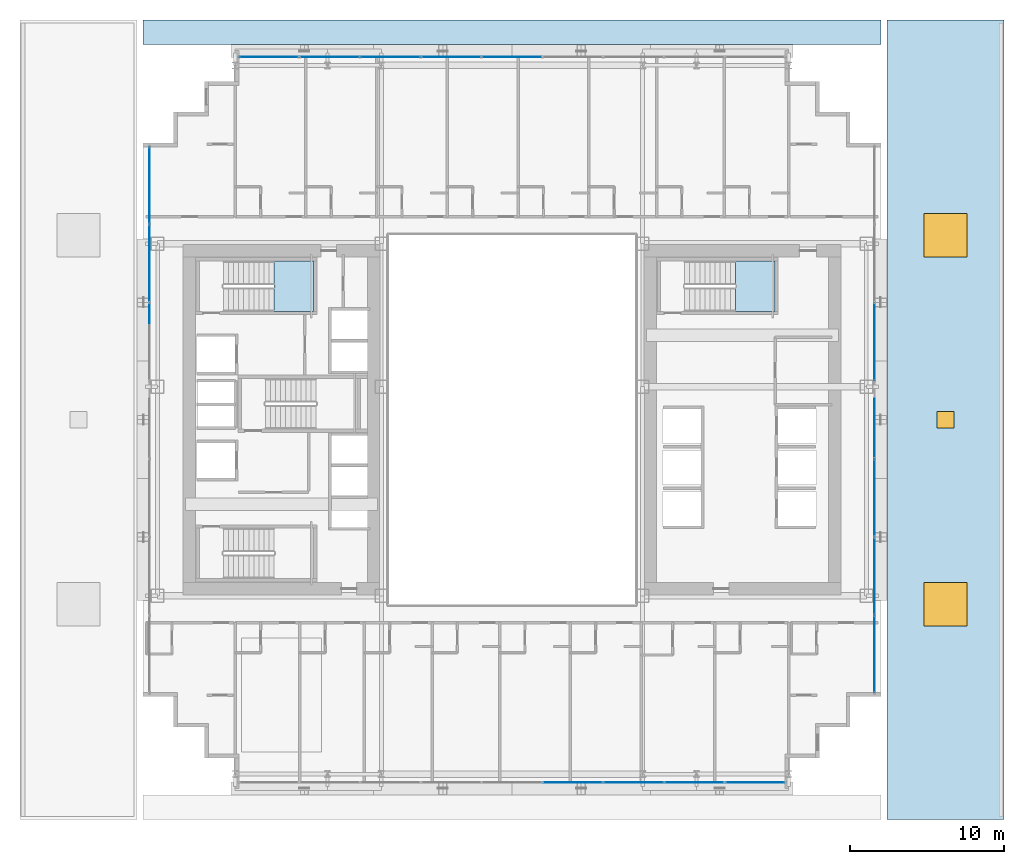
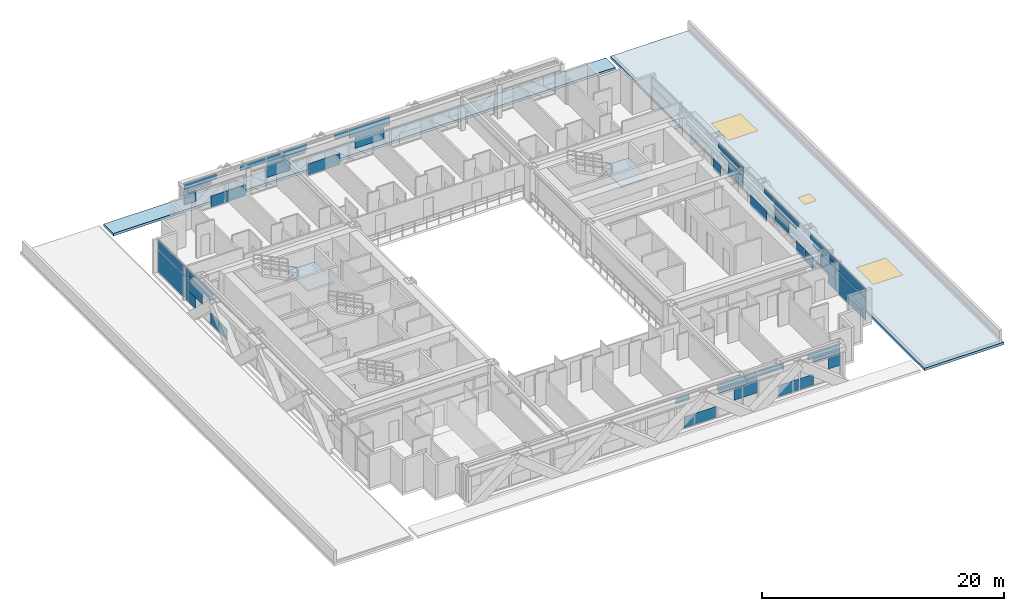
# One storey, part 22 of 35: 49 plates, 4 slabs, 2 windows, 1 door, 3 openings, 6 elements without a shape of their own.
"""IFC4 building model written with IfcOpenShell, lengths in metres."""

from ifc_helpers import new_model, si_unit, direction, frame, origin, origin_2d, place, context, subcontext, project, spatial, polyline, rectangle, outline, extrude, source, transform, mapped, material, layer, layer_set, type_object, element, fill, aggregate, save


model = new_model("IFC4")

# Units and contexts
model_context = context("Model", 3, precision=1e-05, world=origin(), true_north=direction((0.0, 1.0)))
body_context = subcontext(model_context, "Body", "Model", "MODEL_VIEW")
ifc_project = project(units=[si_unit("LENGTHUNIT", "METRE"), si_unit("AREAUNIT", "SQUARE_METRE"), si_unit("VOLUMEUNIT", "CUBIC_METRE"), si_unit("PLANEANGLEUNIT", "RADIAN"), si_unit("MASSUNIT", "GRAM", prefix="KILO")], contexts=[model_context])

# Site, building, storey
site_placement = place(None, origin())
site = spatial("IfcSite", under=ifc_project, at=site_placement, CompositionType="ELEMENT")
building_placement = place(site_placement, origin())
building = spatial("IfcBuilding", under=site, at=building_placement, Name="Ocotamira Hotel", CompositionType="ELEMENT")
storey_placement = place(building_placement, frame((0.0, 0.0, 34.800048828125)))
storey = spatial("IfcBuildingStorey", under=building, at=storey_placement, Name="L07", CompositionType="ELEMENT", Elevation=34.800048828125)

# Stair, slab
ifc_material_1 = material(Name="Concrete C40/50", Category="concrete")
stair_type = type_object("IfcStairType", Name="ST-CORE-1560", PredefinedType="HALF_TURN_STAIR", material=ifc_material_1)
stair_1_placement = place(storey_placement, origin())
stair_1 = element("IfcStair", 1, at=stair_1_placement, inside=storey, type_object=stair_type, Name="L07 Exit Stair ST-2", PredefinedType="HALF_TURN_STAIR")
ifc_layer_1 = layer(ifc_material_1, 0.199951171875)
ifc_layer_set_1 = layer_set([ifc_layer_1], Name="Concrete C40/50")
slab_type_1 = type_object("IfcSlabType", Name="SLB-LAND-200", PredefinedType="LANDING", material=ifc_layer_set_1)
slab_1_placement = place(storey_placement, frame((0.0, 0.0, 1.599853515625)))
slab_1 = element("IfcSlab", 2, at=slab_1_placement, type_object=slab_type_1, Name="ST-2 landing 1", PredefinedType="LANDING", context=body_context, shape_type="SweptSolid", body=[
    extrude(outline(polyline([(16.530029296875, 33.050048828125), (19.090087890625, 33.050048828125), (19.090087890625, 36.330078125), (16.530029296875, 36.330078125), (16.530029296875, 33.050048828125)])), origin(), (0.0, 0.0, 1.0), 0.2001953125),
])
aggregate(stair_1, [slab_1])

stair_2_placement = place(storey_placement, origin())
stair_2 = element("IfcStair", 3, at=stair_2_placement, inside=storey, type_object=stair_type, Name="L07 Exit Stair ST-4", PredefinedType="HALF_TURN_STAIR")
slab_2_placement = place(storey_placement, frame((0.0, 0.0, 1.599853515625)))
slab_2 = element("IfcSlab", 4, at=slab_2_placement, type_object=slab_type_1, Name="ST-4 landing 1", PredefinedType="LANDING", context=body_context, shape_type="SweptSolid", body=[
    extrude(outline(polyline([(46.530029296875, 33.050048828125), (49.090087890625, 33.050048828125), (49.090087890625, 36.330078125), (46.530029296875, 36.330078125), (46.530029296875, 33.050048828125)])), origin(), (0.0, 0.0, 1.0), 0.2001953125),
])
aggregate(stair_2, [slab_2])

# Slab, openings, door, windows
ifc_layer_2 = layer(ifc_material_1, 0.25)
ifc_layer_set_2 = layer_set([ifc_layer_2], Name="Concrete C40/50")
slab_type_2 = type_object("IfcSlabType", Name="SLB-ROOF-250", PredefinedType="ROOF", material=ifc_layer_set_2)
slab_3_placement = place(storey_placement, frame((0.0, 0.0, -0.25)))
slab_3 = element("IfcSlab", 5, at=slab_3_placement, inside=storey, type_object=slab_type_2, Name="L07 Podium Setback Roof POD-E", PredefinedType="ROOF", context=body_context, shape_type="SweptSolid", body=[
    extrude(outline(polyline([(56.39990234375, 0.0), (64.0, 0.0), (64.0, 52.0), (56.39990234375, 52.0), (56.39990234375, 0.0)])), origin(), (0.0, 0.0, 1.0), 0.25),
])
opening_1_placement = place(slab_3_placement, frame((60.199951171875, 14.0, 0.0)))
opening_1 = element("IfcOpeningElement", 6, at=opening_1_placement, cuts=slab_3, Name="Opening SK-2", PredefinedType="OPENING", context=body_context, shape_type="SweptSolid", body=[
    extrude(rectangle(XDim=2.800048828125, YDim=2.800048828125, at=origin_2d()), frame((0.0, 0.0, -0.010009765625)), (0.0, 0.0, 1.0), 0.27001953125),
])
opening_2_placement = place(slab_3_placement, frame((60.199951171875, 38.0, 0.0)))
opening_2 = element("IfcOpeningElement", 7, at=opening_2_placement, cuts=slab_3, Name="Opening SK-2", PredefinedType="OPENING", context=body_context, shape_type="SweptSolid", body=[
    extrude(rectangle(XDim=2.800048828125, YDim=2.800048828125, at=origin_2d()), frame((0.0, 0.0, -0.010009765625)), (0.0, 0.0, 1.0), 0.27001953125),
])
opening_3_placement = place(slab_3_placement, frame((60.199951171875, 26.0, 0.0)))
opening_3 = element("IfcOpeningElement", 8, at=opening_3_placement, cuts=slab_3, Name="Opening RH-1", PredefinedType="OPENING", context=body_context, shape_type="SweptSolid", body=[
    extrude(rectangle(XDim=1.10009765625, YDim=1.10009765625, at=origin_2d()), frame((0.0, 0.0, -0.010009765625)), (0.0, 0.0, 1.0), 0.27001953125),
])
ifc_material_2 = material(Name="Insulated aluminium roof access hatch", Category="aluminium")
door_type = type_object("IfcDoorType", Name="DR-HATCH-1100", OperationType="NOTDEFINED", PredefinedType="TRAPDOOR", material=ifc_material_2)
door_placement = place(opening_3_placement, frame((0.0, 0.0, 0.199951171875)))
door = element("IfcDoor", 9, at=door_placement, inside=storey, type_object=door_type, Name="L07 Maintenance Roof Hatch PODE [RH-L07-PODE]", OperationType="SINGLE_SWING_LEFT", OverallHeight=1.10009765625, OverallWidth=1.10009765625, PredefinedType="TRAPDOOR", context=body_context, shape_type="SweptSolid", body=[
    extrude(rectangle(XDim=1.10009765625, YDim=1.10009765625, at=origin_2d()), origin(), (0.0, 0.0, 1.0), 0.050048828125),
])
fill(opening_3, door)
ifc_material_3 = material(Name="Laminated structural skylight glass", Category="glass")
window_type = type_object("IfcWindowType", Name="WIN-SKY-2800", PartitioningType="SINGLE_PANEL", PredefinedType="SKYLIGHT", material=ifc_material_3)
window_1_placement = place(opening_1_placement, frame((0.0, 0.0, 0.199951171875)))
window_1 = element("IfcWindow", 10, at=window_1_placement, inside=storey, type_object=window_type, Name="Podium Roof Skylight 3", OverallHeight=2.800048828125, OverallWidth=2.800048828125, PartitioningType="SINGLE_PANEL", PredefinedType="SKYLIGHT", context=body_context, shape_type="SweptSolid", body=[
    extrude(rectangle(XDim=2.800048828125, YDim=2.800048828125, at=origin_2d()), origin(), (0.0, 0.0, 1.0), 0.050048828125),
])
fill(opening_1, window_1)
window_2_placement = place(opening_2_placement, frame((0.0, 0.0, 0.199951171875)))
window_2 = element("IfcWindow", 11, at=window_2_placement, inside=storey, type_object=window_type, Name="Podium Roof Skylight 4", OverallHeight=2.800048828125, OverallWidth=2.800048828125, PartitioningType="SINGLE_PANEL", PredefinedType="SKYLIGHT", context=body_context, shape_type="SweptSolid", body=[
    extrude(rectangle(XDim=2.800048828125, YDim=2.800048828125, at=origin_2d()), origin(), (0.0, 0.0, 1.0), 0.050048828125),
])
fill(opening_2, window_2)

# Slab
slab_4_placement = place(storey_placement, frame((0.0, 0.0, -0.25)))
element("IfcSlab", 12, at=slab_4_placement, inside=storey, type_object=slab_type_2, Name="L07 Podium Setback Roof POD-N", PredefinedType="ROOF", context=body_context, shape_type="SweptSolid", body=[
    extrude(outline(polyline([(8.0, 50.39990234375), (56.0, 50.39990234375), (56.0, 52.0), (8.0, 52.0), (8.0, 50.39990234375)])), origin(), (0.0, 0.0, 1.0), 0.25),
])

# Curtain wall, plate
ifc_material_4 = material(Name="Anodised pale-metal aluminium and solar glass", Category="aluminium")
ifc_layer_3 = layer(ifc_material_4, 0.179931640625)
ifc_layer_set_3 = layer_set([ifc_layer_3], Name="Anodised pale-metal aluminium and solar glass")
curtain_wall_type = type_object("IfcCurtainWallType", Name="CW-SYS2-Z1", PredefinedType="NOTDEFINED", material=ifc_layer_set_3)
curtain_wall_1_placement = place(storey_placement, origin())
curtain_wall_1 = element("IfcCurtainWall", 13, at=curtain_wall_1_placement, inside=storey, type_object=curtain_wall_type, Name="L07 Curtain Wall CW-2 CW-L07-S1", PredefinedType="NOTDEFINED")
ifc_material_5 = material(Name="Double-silver low-E insulated solar glass", Category="glass")
ifc_layer_4 = layer(ifc_material_5, 0.031982421875)
ifc_layer_set_4 = layer_set([ifc_layer_4], Name="Double-silver low-E insulated solar glass")
plate_type = type_object("IfcPlateType", Name="CWP-VISION-32", PredefinedType="CURTAIN_PANEL", material=ifc_layer_set_4)
shared_shape_1 = source(origin(), body_context, "Body", "SweptSolid", [
    extrude(rectangle(XDim=1.11669921875, YDim=0.031982421875, at=origin_2d()), origin(), (0.0, 0.0, 1.0), 1.11865234375),
])
plate_1_placement = place(storey_placement, frame((49.16162109375, 2.419921875, 1.193603515625), z_axis=(0.0, 0.0, 1.0), x_axis=(1.0, 0.0, 0.0)))
plate_1 = element("IfcPlate", 14, at=plate_1_placement, type_object=plate_type, Name="CW-2 panel 9.1.2", PredefinedType="CURTAIN_PANEL", context=body_context, shape_type="MappedRepresentation", body=[
    mapped(shared_shape_1, transform((0.0, 0.0, 0.0), scale=1.0)),
])

curtain_wall_2_placement = place(storey_placement, origin())
curtain_wall_2 = element("IfcCurtainWall", 15, at=curtain_wall_2_placement, inside=storey, type_object=curtain_wall_type, Name="L07 Curtain Wall CW-2 CW-L07-N", PredefinedType="NOTDEFINED")
plate_2_placement = place(storey_placement, frame((14.83837890625, 49.580078125, 1.193603515625), z_axis=(0.0, 0.0, 1.0), x_axis=(1.0, 0.0, 0.0)))
plate_2 = element("IfcPlate", 16, at=plate_2_placement, type_object=plate_type, Name="CW-2 panel 1.1.1", PredefinedType="CURTAIN_PANEL", context=body_context, shape_type="MappedRepresentation", body=[
    mapped(shared_shape_1, transform((0.0, 0.0, 0.0), scale=1.0)),
])

# Plate
shared_shape_2 = source(origin(), body_context, "Body", "SweptSolid", [
    extrude(rectangle(XDim=1.278076171875, YDim=0.031982421875, at=origin_2d()), origin(), (0.0, 0.0, 1.0), 1.11865234375),
])
plate_3_placement = place(storey_placement, frame((46.5234375, 2.419921875, 0.074951171875), z_axis=(0.0, 0.0, 1.0), x_axis=(1.0, 0.0, 0.0)))
plate_3 = element("IfcPlate", 17, at=plate_3_placement, type_object=plate_type, Name="CW-2 panel 9.1.1", PredefinedType="CURTAIN_PANEL", context=body_context, shape_type="MappedRepresentation", body=[
    mapped(shared_shape_2, transform((0.0, 0.0, 0.0), scale=1.0)),
])

plate_4_placement = place(storey_placement, frame((17.4765625, 49.580078125, 0.074951171875), z_axis=(0.0, 0.0, 1.0), x_axis=(1.0, 0.0, 0.0)))
plate_4 = element("IfcPlate", 18, at=plate_4_placement, type_object=plate_type, Name="CW-2 panel 1.1.2", PredefinedType="CURTAIN_PANEL", context=body_context, shape_type="MappedRepresentation", body=[
    mapped(shared_shape_2, transform((0.0, 0.0, 0.0), scale=1.0)),
])

shared_shape_3 = source(origin(), body_context, "Body", "SweptSolid", [
    extrude(rectangle(XDim=2.60888671875, YDim=0.031982421875, at=origin_2d()), origin(), (0.0, 0.0, 1.0), 0.345458984375),
])
plate_5_placement = place(storey_placement, frame((48.41552734375, 2.419921875, 2.38720703125), z_axis=(0.0, 0.0, 1.0), x_axis=(1.0, 0.0, 0.0)))
plate_5 = element("IfcPlate", 19, at=plate_5_placement, type_object=plate_type, Name="CW-2 panel 9.2.2", PredefinedType="CURTAIN_PANEL", context=body_context, shape_type="MappedRepresentation", body=[
    mapped(shared_shape_3, transform((0.0, 0.0, 0.0), scale=1.0)),
])

plate_6_placement = place(storey_placement, frame((15.58447265625, 49.580078125, 2.38720703125), z_axis=(0.0, 0.0, 1.0), x_axis=(1.0, 0.0, 0.0)))
plate_6 = element("IfcPlate", 20, at=plate_6_placement, type_object=plate_type, Name="CW-2 panel 1.2.1", PredefinedType="CURTAIN_PANEL", context=body_context, shape_type="MappedRepresentation", body=[
    mapped(shared_shape_3, transform((0.0, 0.0, 0.0), scale=1.0)),
])

shared_shape_4 = source(origin(), body_context, "Body", "SweptSolid", [
    extrude(rectangle(XDim=3.079833984375, YDim=0.031982421875, at=origin_2d()), origin(), (0.0, 0.0, 1.0), 0.5107421875),
])
plate_7_placement = place(storey_placement, frame((48.179931640625, 2.419921875, 2.76416015625), z_axis=(0.0, 0.0, 1.0), x_axis=(1.0, 0.0, 0.0)))
plate_7 = element("IfcPlate", 21, at=plate_7_placement, type_object=plate_type, Name="CW-2 panel 9.2.1", PredefinedType="CURTAIN_PANEL", context=body_context, shape_type="MappedRepresentation", body=[
    mapped(shared_shape_4, transform((0.0, 0.0, 0.0), scale=1.0)),
])

plate_8_placement = place(storey_placement, frame((15.820068359375, 49.580078125, 2.76416015625), z_axis=(0.0, 0.0, 1.0), x_axis=(1.0, 0.0, 0.0)))
plate_8 = element("IfcPlate", 22, at=plate_8_placement, type_object=plate_type, Name="CW-2 panel 1.2.2", PredefinedType="CURTAIN_PANEL", context=body_context, shape_type="MappedRepresentation", body=[
    mapped(shared_shape_4, transform((0.0, 0.0, 0.0), scale=1.0)),
])

shared_shape_5 = source(origin(), body_context, "Body", "SweptSolid", [
    extrude(rectangle(XDim=1.966796875, YDim=0.031982421875, at=origin_2d()), origin(), (0.0, 0.0, 1.0), 1.11865234375),
])
plate_9_placement = place(storey_placement, frame((44.821044921875, 2.419921875, 0.074951171875), z_axis=(0.0, 0.0, 1.0), x_axis=(1.0, 0.0, 0.0)))
plate_9 = element("IfcPlate", 23, at=plate_9_placement, type_object=plate_type, Name="CW-2 panel 8.1.1", PredefinedType="CURTAIN_PANEL", context=body_context, shape_type="MappedRepresentation", body=[
    mapped(shared_shape_5, transform((0.0, 0.0, 0.0), scale=1.0)),
])

plate_10_placement = place(storey_placement, frame((19.178955078125, 49.580078125, 0.074951171875), z_axis=(0.0, 0.0, 1.0), x_axis=(1.0, 0.0, 0.0)))
plate_10 = element("IfcPlate", 24, at=plate_10_placement, type_object=plate_type, Name="CW-2 panel 2.1.1", PredefinedType="CURTAIN_PANEL", context=body_context, shape_type="MappedRepresentation", body=[
    mapped(shared_shape_5, transform((0.0, 0.0, 0.0), scale=1.0)),
])

shared_shape_6 = source(origin(), body_context, "Body", "SweptSolid", [
    extrude(rectangle(XDim=2.430908203125, YDim=0.031982421875, at=origin_2d()), origin(), (0.0, 0.0, 1.0), 0.5107421875),
])
plate_11_placement = place(storey_placement, frame((43.144287109375, 2.419921875, 2.76416015625), z_axis=(0.0, 0.0, 1.0), x_axis=(1.0, 0.0, 0.0)))
plate_11 = element("IfcPlate", 25, at=plate_11_placement, type_object=plate_type, Name="CW-2 panel 8.2.1", PredefinedType="CURTAIN_PANEL", context=body_context, shape_type="MappedRepresentation", body=[
    mapped(shared_shape_6, transform((0.0, 0.0, 0.0), scale=1.0)),
])

plate_12_placement = place(storey_placement, frame((20.855712890625, 49.580078125, 2.76416015625), z_axis=(0.0, 0.0, 1.0), x_axis=(1.0, 0.0, 0.0)))
plate_12 = element("IfcPlate", 26, at=plate_12_placement, type_object=plate_type, Name="CW-2 panel 2.2.1", PredefinedType="CURTAIN_PANEL", context=body_context, shape_type="MappedRepresentation", body=[
    mapped(shared_shape_6, transform((0.0, 0.0, 0.0), scale=1.0)),
])

shared_shape_7 = source(origin(), body_context, "Body", "SweptSolid", [
    extrude(rectangle(XDim=2.24560546875, YDim=0.031982421875, at=origin_2d()), origin(), (0.0, 0.0, 1.0), 1.11865234375),
])
plate_13_placement = place(storey_placement, frame((40.72607421875, 2.419921875, 1.193603515625), z_axis=(0.0, 0.0, 1.0), x_axis=(1.0, 0.0, 0.0)))
plate_13 = element("IfcPlate", 27, at=plate_13_placement, type_object=plate_type, Name="CW-2 panel 7.1.1", PredefinedType="CURTAIN_PANEL", context=body_context, shape_type="MappedRepresentation", body=[
    mapped(shared_shape_7, transform((0.0, 0.0, 0.0), scale=1.0)),
])

plate_14_placement = place(storey_placement, frame((23.27392578125, 49.580078125, 1.193603515625), z_axis=(0.0, 0.0, 1.0), x_axis=(1.0, 0.0, 0.0)))
plate_14 = element("IfcPlate", 28, at=plate_14_placement, type_object=plate_type, Name="CW-2 panel 3.1.1", PredefinedType="CURTAIN_PANEL", context=body_context, shape_type="MappedRepresentation", body=[
    mapped(shared_shape_7, transform((0.0, 0.0, 0.0), scale=1.0)),
])

shared_shape_8 = source(origin(), body_context, "Body", "SweptSolid", [
    extrude(rectangle(XDim=3.73779296875, YDim=0.031982421875, at=origin_2d()), origin(), (0.0, 0.0, 1.0), 0.376708984375),
])
plate_15_placement = place(storey_placement, frame((39.97998046875, 2.419921875, 2.3876953125), z_axis=(0.0, 0.0, 1.0), x_axis=(1.0, 0.0, 0.0)))
plate_15 = element("IfcPlate", 29, at=plate_15_placement, type_object=plate_type, Name="CW-2 panel 7.2.2", PredefinedType="CURTAIN_PANEL", context=body_context, shape_type="MappedRepresentation", body=[
    mapped(shared_shape_8, transform((0.0, 0.0, 0.0), scale=1.0)),
])

plate_16_placement = place(storey_placement, frame((24.02001953125, 49.580078125, 2.3876953125), z_axis=(0.0, 0.0, 1.0), x_axis=(1.0, 0.0, 0.0)))
plate_16 = element("IfcPlate", 30, at=plate_16_placement, type_object=plate_type, Name="CW-2 panel 3.2.1", PredefinedType="CURTAIN_PANEL", context=body_context, shape_type="MappedRepresentation", body=[
    mapped(shared_shape_8, transform((0.0, 0.0, 0.0), scale=1.0)),
])

shared_shape_9 = source(origin(), body_context, "Body", "SweptSolid", [
    extrude(rectangle(XDim=3.87548828125, YDim=0.031982421875, at=origin_2d()), origin(), (0.0, 0.0, 1.0), 0.5107421875),
])
plate_17_placement = place(storey_placement, frame((39.9111328125, 2.419921875, 2.76416015625), z_axis=(0.0, 0.0, 1.0), x_axis=(1.0, 0.0, 0.0)))
plate_17 = element("IfcPlate", 31, at=plate_17_placement, type_object=plate_type, Name="CW-2 panel 7.2.1", PredefinedType="CURTAIN_PANEL", context=body_context, shape_type="MappedRepresentation", body=[
    mapped(shared_shape_9, transform((0.0, 0.0, 0.0), scale=1.0)),
])

plate_18_placement = place(storey_placement, frame((24.0888671875, 49.580078125, 2.76416015625), z_axis=(0.0, 0.0, 1.0), x_axis=(1.0, 0.0, 0.0)))
plate_18 = element("IfcPlate", 32, at=plate_18_placement, type_object=plate_type, Name="CW-2 panel 3.2.2", PredefinedType="CURTAIN_PANEL", context=body_context, shape_type="MappedRepresentation", body=[
    mapped(shared_shape_9, transform((0.0, 0.0, 0.0), scale=1.0)),
])

shared_shape_10 = source(origin(), body_context, "Body", "SweptSolid", [
    extrude(rectangle(XDim=3.055908203125, YDim=0.031982421875, at=origin_2d()), origin(), (0.0, 0.0, 1.0), 1.11865234375),
])
plate_19_placement = place(storey_placement, frame((36.365478515625, 2.419921875, 0.074951171875), z_axis=(0.0, 0.0, 1.0), x_axis=(1.0, 0.0, 0.0)))
plate_19 = element("IfcPlate", 33, at=plate_19_placement, type_object=plate_type, Name="CW-2 panel 6.1.1", PredefinedType="CURTAIN_PANEL", context=body_context, shape_type="MappedRepresentation", body=[
    mapped(shared_shape_10, transform((0.0, 0.0, 0.0), scale=1.0)),
])

plate_20_placement = place(storey_placement, frame((27.634521484375, 49.580078125, 0.074951171875), z_axis=(0.0, 0.0, 1.0), x_axis=(1.0, 0.0, 0.0)))
plate_20 = element("IfcPlate", 34, at=plate_20_placement, type_object=plate_type, Name="CW-2 panel 4.1.1", PredefinedType="CURTAIN_PANEL", context=body_context, shape_type="MappedRepresentation", body=[
    mapped(shared_shape_10, transform((0.0, 0.0, 0.0), scale=1.0)),
])

shared_shape_11 = source(origin(), body_context, "Body", "SweptSolid", [
    extrude(rectangle(XDim=1.34228515625, YDim=0.031982421875, at=origin_2d()), origin(), (0.0, 0.0, 1.0), 0.5107421875),
])
plate_21_placement = place(storey_placement, frame((34.68896484375, 2.419921875, 2.76416015625), z_axis=(0.0, 0.0, 1.0), x_axis=(1.0, 0.0, 0.0)))
plate_21 = element("IfcPlate", 35, at=plate_21_placement, type_object=plate_type, Name="CW-2 panel 6.2.1", PredefinedType="CURTAIN_PANEL", context=body_context, shape_type="MappedRepresentation", body=[
    mapped(shared_shape_11, transform((0.0, 0.0, 0.0), scale=1.0)),
])

aggregate(curtain_wall_1, [plate_19, plate_21, plate_13, plate_17, plate_15, plate_9, plate_11, plate_3, plate_1, plate_7, plate_5])

plate_22_placement = place(storey_placement, frame((29.31103515625, 49.580078125, 2.76416015625), z_axis=(0.0, 0.0, 1.0), x_axis=(1.0, 0.0, 0.0)))
plate_22 = element("IfcPlate", 36, at=plate_22_placement, type_object=plate_type, Name="CW-2 panel 4.2.1", PredefinedType="CURTAIN_PANEL", context=body_context, shape_type="MappedRepresentation", body=[
    mapped(shared_shape_11, transform((0.0, 0.0, 0.0), scale=1.0)),
])

shared_shape_12 = source(origin(), body_context, "Body", "SweptSolid", [
    extrude(rectangle(XDim=2.793701171875, YDim=0.031982421875, at=origin_2d()), origin(), (0.0, 0.0, 1.0), 1.11865234375),
])
plate_23_placement = place(storey_placement, frame((32.0, 49.580078125, 1.193603515625), z_axis=(0.0, 0.0, 1.0), x_axis=(1.0, 0.0, 0.0)))
plate_23 = element("IfcPlate", 37, at=plate_23_placement, type_object=plate_type, Name="CW-2 panel 5.1.1", PredefinedType="CURTAIN_PANEL", context=body_context, shape_type="MappedRepresentation", body=[
    mapped(shared_shape_12, transform((0.0, 0.0, 0.0), scale=1.0)),
])

shared_shape_13 = source(origin(), body_context, "Body", "SweptSolid", [
    extrude(rectangle(XDim=3.87548828125, YDim=0.031982421875, at=origin_2d()), origin(), (0.0, 0.0, 1.0), 0.887451171875),
])
plate_24_placement = place(storey_placement, frame((32.0, 49.580078125, 2.3876953125), z_axis=(0.0, 0.0, 1.0), x_axis=(1.0, 0.0, 0.0)))
plate_24 = element("IfcPlate", 38, at=plate_24_placement, type_object=plate_type, Name="CW-2 panel 5.2", PredefinedType="CURTAIN_PANEL", context=body_context, shape_type="MappedRepresentation", body=[
    mapped(shared_shape_13, transform((0.0, 0.0, 0.0), scale=1.0)),
])

aggregate(curtain_wall_2, [plate_2, plate_4, plate_6, plate_8, plate_10, plate_12, plate_14, plate_16, plate_18, plate_20, plate_22, plate_23, plate_24])

# Curtain wall, plate
curtain_wall_3_placement = place(storey_placement, origin())
curtain_wall_3 = element("IfcCurtainWall", 39, at=curtain_wall_3_placement, inside=storey, type_object=curtain_wall_type, Name="L07 Curtain Wall CW-2 CW-L07-W", PredefinedType="NOTDEFINED")
shared_shape_14 = source(origin(), body_context, "Body", "SweptSolid", [
    extrude(rectangle(XDim=4.9658203125, YDim=0.031982421875, at=origin_2d()), origin(), (0.0, 0.0, 1.0), 2.237548828125),
])
plate_25_placement = place(storey_placement, frame((8.419921875, 41.237060546875, 0.07470703125), z_axis=(0.0, 0.0, 1.0), x_axis=(0.0, 1.0, 0.0)))
plate_25 = element("IfcPlate", 40, at=plate_25_placement, type_object=plate_type, Name="CW-2 panel 7.1", PredefinedType="CURTAIN_PANEL", context=body_context, shape_type="MappedRepresentation", body=[
    mapped(shared_shape_14, transform((0.0, 0.0, 0.0), scale=1.0)),
])

curtain_wall_4_placement = place(storey_placement, origin())
curtain_wall_4 = element("IfcCurtainWall", 41, at=curtain_wall_4_placement, inside=storey, type_object=curtain_wall_type, Name="L07 Curtain Wall CW-2 CW-L07-E", PredefinedType="NOTDEFINED")
plate_26_placement = place(storey_placement, frame((55.580078125, 10.762939453125, 0.07470703125), z_axis=(0.0, 0.0, 1.0), x_axis=(0.0, 1.0, 0.0)))
plate_26 = element("IfcPlate", 42, at=plate_26_placement, type_object=plate_type, Name="CW-2 panel 1.1", PredefinedType="CURTAIN_PANEL", context=body_context, shape_type="MappedRepresentation", body=[
    mapped(shared_shape_14, transform((0.0, 0.0, 0.0), scale=1.0)),
])

# Plate
shared_shape_15 = source(origin(), body_context, "Body", "SweptSolid", [
    extrude(rectangle(XDim=4.9658203125, YDim=0.031982421875, at=origin_2d()), origin(), (0.0, 0.0, 1.0), 0.887451171875),
])
plate_27_placement = place(storey_placement, frame((8.419921875, 41.237060546875, 2.3876953125), z_axis=(0.0, 0.0, 1.0), x_axis=(0.0, 1.0, 0.0)))
plate_27 = element("IfcPlate", 43, at=plate_27_placement, type_object=plate_type, Name="CW-2 panel 7.2", PredefinedType="CURTAIN_PANEL", context=body_context, shape_type="MappedRepresentation", body=[
    mapped(shared_shape_15, transform((0.0, 0.0, 0.0), scale=1.0)),
])

plate_28_placement = place(storey_placement, frame((55.580078125, 10.762939453125, 2.3876953125), z_axis=(0.0, 0.0, 1.0), x_axis=(0.0, 1.0, 0.0)))
plate_28 = element("IfcPlate", 44, at=plate_28_placement, type_object=plate_type, Name="CW-2 panel 1.2", PredefinedType="CURTAIN_PANEL", context=body_context, shape_type="MappedRepresentation", body=[
    mapped(shared_shape_15, transform((0.0, 0.0, 0.0), scale=1.0)),
])

shared_shape_16 = source(origin(), body_context, "Body", "SweptSolid", [
    extrude(rectangle(XDim=1.177978515625, YDim=0.031982421875, at=origin_2d()), origin(), (0.0, 0.0, 1.0), 1.11865234375),
])
plate_29_placement = place(storey_placement, frame((8.419921875, 38.085205078125, 0.074951171875), z_axis=(0.0, 0.0, 1.0), x_axis=(0.0, 1.0, 0.0)))
plate_29 = element("IfcPlate", 45, at=plate_29_placement, type_object=plate_type, Name="CW-2 panel 6.1.3", PredefinedType="CURTAIN_PANEL", context=body_context, shape_type="MappedRepresentation", body=[
    mapped(shared_shape_16, transform((0.0, 0.0, 0.0), scale=1.0)),
])

plate_30_placement = place(storey_placement, frame((55.580078125, 13.914794921875, 0.074951171875), z_axis=(0.0, 0.0, 1.0), x_axis=(0.0, 1.0, 0.0)))
plate_30 = element("IfcPlate", 46, at=plate_30_placement, type_object=plate_type, Name="CW-2 panel 2.1.1", PredefinedType="CURTAIN_PANEL", context=body_context, shape_type="MappedRepresentation", body=[
    mapped(shared_shape_16, transform((0.0, 0.0, 0.0), scale=1.0)),
])

shared_shape_17 = source(origin(), body_context, "Body", "SweptSolid", [
    extrude(rectangle(XDim=2.364013671875, YDim=0.031982421875, at=origin_2d()), origin(), (0.0, 0.0, 1.0), 1.11865234375),
])
plate_31_placement = place(storey_placement, frame((8.419921875, 37.4921875, 1.193603515625), z_axis=(0.0, 0.0, 1.0), x_axis=(0.0, 1.0, 0.0)))
plate_31 = element("IfcPlate", 47, at=plate_31_placement, type_object=plate_type, Name="CW-2 panel 6.1.2", PredefinedType="CURTAIN_PANEL", context=body_context, shape_type="MappedRepresentation", body=[
    mapped(shared_shape_17, transform((0.0, 0.0, 0.0), scale=1.0)),
])

plate_32_placement = place(storey_placement, frame((55.580078125, 14.5078125, 1.193603515625), z_axis=(0.0, 0.0, 1.0), x_axis=(0.0, 1.0, 0.0)))
plate_32 = element("IfcPlate", 48, at=plate_32_placement, type_object=plate_type, Name="CW-2 panel 2.1.2", PredefinedType="CURTAIN_PANEL", context=body_context, shape_type="MappedRepresentation", body=[
    mapped(shared_shape_17, transform((0.0, 0.0, 0.0), scale=1.0)),
])

shared_shape_18 = source(origin(), body_context, "Body", "SweptSolid", [
    extrude(rectangle(XDim=1.330078125, YDim=0.031982421875, at=origin_2d()), origin(), (0.0, 0.0, 1.0), 1.11865234375),
])
plate_33_placement = place(storey_placement, frame((8.419921875, 34.33349609375, 0.074951171875), z_axis=(0.0, 0.0, 1.0), x_axis=(0.0, 1.0, 0.0)))
plate_33 = element("IfcPlate", 49, at=plate_33_placement, type_object=plate_type, Name="CW-2 panel 6.1.1", PredefinedType="CURTAIN_PANEL", context=body_context, shape_type="MappedRepresentation", body=[
    mapped(shared_shape_18, transform((0.0, 0.0, 0.0), scale=1.0)),
])

plate_34_placement = place(storey_placement, frame((55.580078125, 17.66650390625, 0.074951171875), z_axis=(0.0, 0.0, 1.0), x_axis=(0.0, 1.0, 0.0)))
plate_34 = element("IfcPlate", 50, at=plate_34_placement, type_object=plate_type, Name="CW-2 panel 2.1.3", PredefinedType="CURTAIN_PANEL", context=body_context, shape_type="MappedRepresentation", body=[
    mapped(shared_shape_18, transform((0.0, 0.0, 0.0), scale=1.0)),
])

shared_shape_19 = source(origin(), body_context, "Body", "SweptSolid", [
    extrude(rectangle(XDim=3.629638671875, YDim=0.031982421875, at=origin_2d()), origin(), (0.0, 0.0, 1.0), 0.367919921875),
])
plate_35_placement = place(storey_placement, frame((8.419921875, 36.859375, 2.3876953125), z_axis=(0.0, 0.0, 1.0), x_axis=(0.0, 1.0, 0.0)))
plate_35 = element("IfcPlate", 51, at=plate_35_placement, type_object=plate_type, Name="CW-2 panel 6.2.2", PredefinedType="CURTAIN_PANEL", context=body_context, shape_type="MappedRepresentation", body=[
    mapped(shared_shape_19, transform((0.0, 0.0, 0.0), scale=1.0)),
])

plate_36_placement = place(storey_placement, frame((55.580078125, 15.140625, 2.3876953125), z_axis=(0.0, 0.0, 1.0), x_axis=(0.0, 1.0, 0.0)))
plate_36 = element("IfcPlate", 52, at=plate_36_placement, type_object=plate_type, Name="CW-2 panel 2.2.1", PredefinedType="CURTAIN_PANEL", context=body_context, shape_type="MappedRepresentation", body=[
    mapped(shared_shape_19, transform((0.0, 0.0, 0.0), scale=1.0)),
])

shared_shape_20 = source(origin(), body_context, "Body", "SweptSolid", [
    extrude(rectangle(XDim=4.05615234375, YDim=0.031982421875, at=origin_2d()), origin(), (0.0, 0.0, 1.0), 0.485107421875),
])
plate_37_placement = place(storey_placement, frame((8.419921875, 36.646240234375, 2.7900390625), z_axis=(0.0, 0.0, 1.0), x_axis=(0.0, 1.0, 0.0)))
plate_37 = element("IfcPlate", 53, at=plate_37_placement, type_object=plate_type, Name="CW-2 panel 6.2.1", PredefinedType="CURTAIN_PANEL", context=body_context, shape_type="MappedRepresentation", body=[
    mapped(shared_shape_20, transform((0.0, 0.0, 0.0), scale=1.0)),
])

plate_38_placement = place(storey_placement, frame((55.580078125, 15.353759765625, 2.7900390625), z_axis=(0.0, 0.0, 1.0), x_axis=(0.0, 1.0, 0.0)))
plate_38 = element("IfcPlate", 54, at=plate_38_placement, type_object=plate_type, Name="CW-2 panel 2.2.2", PredefinedType="CURTAIN_PANEL", context=body_context, shape_type="MappedRepresentation", body=[
    mapped(shared_shape_20, transform((0.0, 0.0, 0.0), scale=1.0)),
])

shared_shape_21 = source(origin(), body_context, "Body", "SweptSolid", [
    extrude(rectangle(XDim=1.3203125, YDim=0.031982421875, at=origin_2d()), origin(), (0.0, 0.0, 1.0), 1.11865234375),
])
plate_39_placement = place(storey_placement, frame((8.419921875, 32.928466796875, 0.074951171875), z_axis=(0.0, 0.0, 1.0), x_axis=(0.0, 1.0, 0.0)))
plate_39 = element("IfcPlate", 55, at=plate_39_placement, type_object=plate_type, Name="CW-2 panel 5.1.2", PredefinedType="CURTAIN_PANEL", context=body_context, shape_type="MappedRepresentation", body=[
    mapped(shared_shape_21, transform((0.0, 0.0, 0.0), scale=1.0)),
])

aggregate(curtain_wall_3, [plate_39, plate_33, plate_31, plate_29, plate_37, plate_35, plate_25, plate_27])

plate_40_placement = place(storey_placement, frame((55.580078125, 19.071533203125, 0.074951171875), z_axis=(0.0, 0.0, 1.0), x_axis=(0.0, 1.0, 0.0)))
plate_40 = element("IfcPlate", 56, at=plate_40_placement, type_object=plate_type, Name="CW-2 panel 3.1.1", PredefinedType="CURTAIN_PANEL", context=body_context, shape_type="MappedRepresentation", body=[
    mapped(shared_shape_21, transform((0.0, 0.0, 0.0), scale=1.0)),
])

plate_41_placement = place(storey_placement, frame((55.580078125, 32.928466796875, 0.074951171875), z_axis=(0.0, 0.0, 1.0), x_axis=(0.0, 1.0, 0.0)))
plate_41 = element("IfcPlate", 57, at=plate_41_placement, type_object=plate_type, Name="CW-2 panel 5.1.2", PredefinedType="CURTAIN_PANEL", context=body_context, shape_type="MappedRepresentation", body=[
    mapped(shared_shape_21, transform((0.0, 0.0, 0.0), scale=1.0)),
])

shared_shape_22 = source(origin(), body_context, "Body", "SweptSolid", [
    extrude(rectangle(XDim=2.27978515625, YDim=0.031982421875, at=origin_2d()), origin(), (0.0, 0.0, 1.0), 1.11865234375),
])
plate_42_placement = place(storey_placement, frame((55.580078125, 22.183349609375, 1.193603515625), z_axis=(0.0, 0.0, 1.0), x_axis=(0.0, 1.0, 0.0)))
plate_42 = element("IfcPlate", 58, at=plate_42_placement, type_object=plate_type, Name="CW-2 panel 3.1.2", PredefinedType="CURTAIN_PANEL", context=body_context, shape_type="MappedRepresentation", body=[
    mapped(shared_shape_22, transform((0.0, 0.0, 0.0), scale=1.0)),
])

plate_43_placement = place(storey_placement, frame((55.580078125, 29.816650390625, 1.193603515625), z_axis=(0.0, 0.0, 1.0), x_axis=(0.0, 1.0, 0.0)))
plate_43 = element("IfcPlate", 59, at=plate_43_placement, type_object=plate_type, Name="CW-2 panel 5.1.1", PredefinedType="CURTAIN_PANEL", context=body_context, shape_type="MappedRepresentation", body=[
    mapped(shared_shape_22, transform((0.0, 0.0, 0.0), scale=1.0)),
])

shared_shape_23 = source(origin(), body_context, "Body", "SweptSolid", [
    extrude(rectangle(XDim=4.06591796875, YDim=0.031982421875, at=origin_2d()), origin(), (0.0, 0.0, 1.0), 0.485107421875),
])
plate_44_placement = place(storey_placement, frame((55.580078125, 21.38427734375, 2.7900390625), z_axis=(0.0, 0.0, 1.0), x_axis=(0.0, 1.0, 0.0)))
plate_44 = element("IfcPlate", 60, at=plate_44_placement, type_object=plate_type, Name="CW-2 panel 3.2.1", PredefinedType="CURTAIN_PANEL", context=body_context, shape_type="MappedRepresentation", body=[
    mapped(shared_shape_23, transform((0.0, 0.0, 0.0), scale=1.0)),
])

plate_45_placement = place(storey_placement, frame((55.580078125, 30.61572265625, 2.7900390625), z_axis=(0.0, 0.0, 1.0), x_axis=(0.0, 1.0, 0.0)))
plate_45 = element("IfcPlate", 61, at=plate_45_placement, type_object=plate_type, Name="CW-2 panel 5.2.2", PredefinedType="CURTAIN_PANEL", context=body_context, shape_type="MappedRepresentation", body=[
    mapped(shared_shape_23, transform((0.0, 0.0, 0.0), scale=1.0)),
])

shared_shape_24 = source(origin(), body_context, "Body", "SweptSolid", [
    extrude(rectangle(XDim=3.639404296875, YDim=0.031982421875, at=origin_2d()), origin(), (0.0, 0.0, 1.0), 0.367919921875),
])
plate_46_placement = place(storey_placement, frame((55.580078125, 21.597412109375, 2.3876953125), z_axis=(0.0, 0.0, 1.0), x_axis=(0.0, 1.0, 0.0)))
plate_46 = element("IfcPlate", 62, at=plate_46_placement, type_object=plate_type, Name="CW-2 panel 3.2.2", PredefinedType="CURTAIN_PANEL", context=body_context, shape_type="MappedRepresentation", body=[
    mapped(shared_shape_24, transform((0.0, 0.0, 0.0), scale=1.0)),
])

plate_47_placement = place(storey_placement, frame((55.580078125, 30.402587890625, 2.3876953125), z_axis=(0.0, 0.0, 1.0), x_axis=(0.0, 1.0, 0.0)))
plate_47 = element("IfcPlate", 63, at=plate_47_placement, type_object=plate_type, Name="CW-2 panel 5.2.1", PredefinedType="CURTAIN_PANEL", context=body_context, shape_type="MappedRepresentation", body=[
    mapped(shared_shape_24, transform((0.0, 0.0, 0.0), scale=1.0)),
])

shared_shape_25 = source(origin(), body_context, "Body", "SweptSolid", [
    extrude(rectangle(XDim=2.730224609375, YDim=0.031982421875, at=origin_2d()), origin(), (0.0, 0.0, 1.0), 1.11865234375),
])
plate_48_placement = place(storey_placement, frame((55.580078125, 26.0, 0.074951171875), z_axis=(0.0, 0.0, 1.0), x_axis=(0.0, 1.0, 0.0)))
plate_48 = element("IfcPlate", 64, at=plate_48_placement, type_object=plate_type, Name="CW-2 panel 4.1.1", PredefinedType="CURTAIN_PANEL", context=body_context, shape_type="MappedRepresentation", body=[
    mapped(shared_shape_25, transform((0.0, 0.0, 0.0), scale=1.0)),
])

shared_shape_26 = source(origin(), body_context, "Body", "SweptSolid", [
    extrude(rectangle(XDim=1.518310546875, YDim=0.031982421875, at=origin_2d()), origin(), (0.0, 0.0, 1.0), 0.485107421875),
])
plate_49_placement = place(storey_placement, frame((55.580078125, 24.256103515625, 2.7900390625), z_axis=(0.0, 0.0, 1.0), x_axis=(0.0, 1.0, 0.0)))
plate_49 = element("IfcPlate", 65, at=plate_49_placement, type_object=plate_type, Name="CW-2 panel 4.2.1", PredefinedType="CURTAIN_PANEL", context=body_context, shape_type="MappedRepresentation", body=[
    mapped(shared_shape_26, transform((0.0, 0.0, 0.0), scale=1.0)),
])

aggregate(curtain_wall_4, [plate_26, plate_28, plate_30, plate_32, plate_34, plate_36, plate_38, plate_40, plate_42, plate_44, plate_46, plate_48, plate_49, plate_43, plate_41, plate_47, plate_45])

save(model, "model.ifc")
